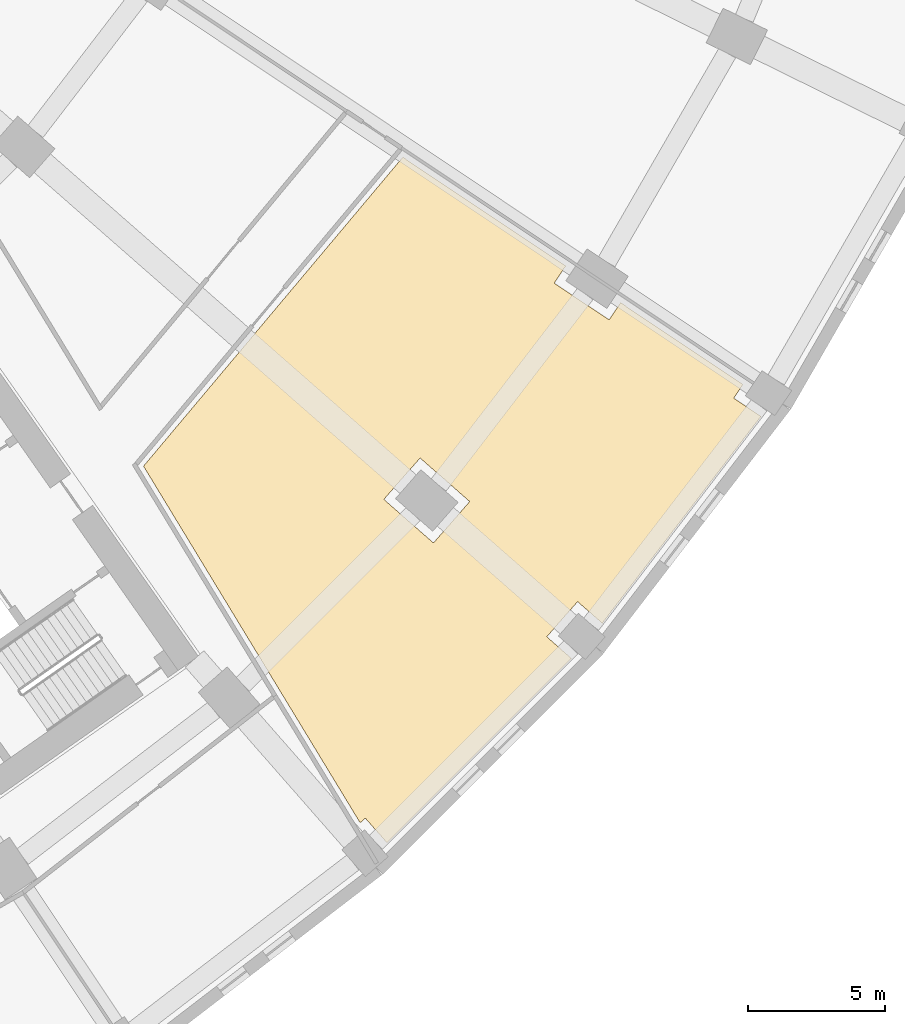
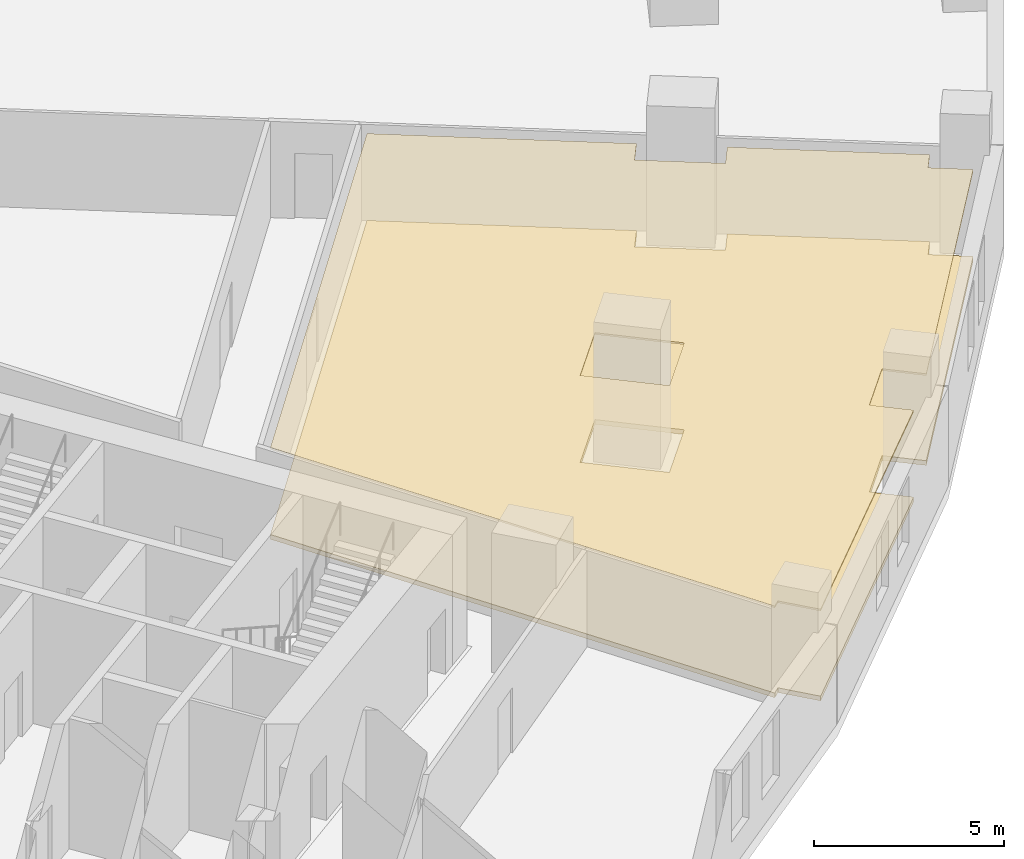
# One storey, part 19 of 19: 2 coverings.
"""IFC4 building model written with IfcOpenShell, lengths in metres."""

from ifc_helpers import new_model, si_unit, direction, frame, origin, place, context, subcontext, project, spatial, polyline, outline, extrude, material, layer, layer_set, type_object, element, save


model = new_model("IFC4")

# Units and contexts
model_context = context("Model", 3, precision=1e-05, world=origin(), true_north=direction((0.0, 1.0)))
body_context = subcontext(model_context, "Body", "Model", "MODEL_VIEW")
ifc_project = project(units=[si_unit("LENGTHUNIT", "METRE"), si_unit("AREAUNIT", "SQUARE_METRE"), si_unit("VOLUMEUNIT", "CUBIC_METRE"), si_unit("PLANEANGLEUNIT", "RADIAN"), si_unit("MASSUNIT", "GRAM", prefix="KILO")], contexts=[model_context])

# Site, building, storey
site_placement = place(None, origin())
site = spatial("IfcSite", under=ifc_project, at=site_placement, CompositionType="ELEMENT")
building_placement = place(site_placement, origin())
building = spatial("IfcBuilding", under=site, at=building_placement, Name="Qamariyya Broadcast Tower", CompositionType="ELEMENT")
storey_placement = place(building_placement, frame((0.0, 0.0, 36.0)))
storey = spatial("IfcBuildingStorey", under=building, at=storey_placement, Name="L05", CompositionType="ELEMENT", Elevation=36.0)

# Coverings
ifc_material_1 = material(Name="Raised access floor")
ifc_layer_1 = layer(ifc_material_1, 0.14990234375)
ifc_layer_set_1 = layer_set([ifc_layer_1], Name="Raised access floor 150")
covering_type_1 = type_object("IfcCoveringType", Name="Raised access floor 150", PredefinedType="FLOORING", material=ifc_layer_set_1)
covering_1_placement = place(storey_placement, origin())
element("IfcCovering", 1, at=covering_1_placement, inside=storey, type_object=covering_type_1, Name="Flooring L05-F05", PredefinedType="FLOORING", context=body_context, shape_type="SweptSolid", body=[
    extrude(outline(polyline([(57.585205078125, -38.77783203125), (63.510009765625, -42.73681640625), (63.093505859375, -43.3603515625), (65.0888671875, -44.69384765625), (65.505615234375, -44.070068359375), (69.9541015625, -47.04248046875), (69.62060546875, -47.541259765625), (70.6123046875, -48.2041015625), (64.83740234375, -55.730224609375), (63.9404296875, -54.94384765625), (62.819580078125, -56.221923828125), (63.716552734375, -57.00830078125), (57.00830078125, -63.716552734375), (56.221923828125, -62.819580078125), (56.031494140625, -62.986572265625), (48.1533203125, -50.016845703125), (57.585205078125, -38.77783203125)]), holes=[polyline([(58.698486328125, -52.80712890625), (60.01708984375, -51.303466796875), (58.212646484375, -49.72119140625), (56.89404296875, -51.224853515625), (58.698486328125, -52.80712890625)])]), origin(), (0.0, 0.0, 1.0), 0.14990234375),
])
ifc_material_2 = material(Name="Perforated plasterboard ceiling")
ifc_layer_2 = layer(ifc_material_2, 0.06005859375)
ifc_layer_set_2 = layer_set([ifc_layer_2], Name="Suspended acoustic ceiling 60")
covering_type_2 = type_object("IfcCoveringType", Name="Suspended acoustic ceiling 60", PredefinedType="CEILING", material=ifc_layer_set_2)
covering_2_placement = place(storey_placement, frame((0.0, 0.0, 2.889892578125)))
element("IfcCovering", 2, at=covering_2_placement, inside=storey, type_object=covering_type_2, Name="Ceiling L05-C05", PredefinedType="CEILING", context=body_context, shape_type="SweptSolid", body=[
    extrude(outline(polyline([(57.585205078125, -38.77783203125), (63.510009765625, -42.73681640625), (63.093505859375, -43.3603515625), (65.0888671875, -44.69384765625), (65.505615234375, -44.070068359375), (69.9541015625, -47.04248046875), (69.62060546875, -47.541259765625), (70.6123046875, -48.2041015625), (64.83740234375, -55.730224609375), (63.9404296875, -54.94384765625), (62.819580078125, -56.221923828125), (63.716552734375, -57.00830078125), (57.00830078125, -63.716552734375), (56.221923828125, -62.819580078125), (56.031494140625, -62.986572265625), (48.1533203125, -50.016845703125), (57.585205078125, -38.77783203125)]), holes=[polyline([(58.698486328125, -52.80712890625), (60.01708984375, -51.303466796875), (58.212646484375, -49.72119140625), (56.89404296875, -51.224853515625), (58.698486328125, -52.80712890625)])]), origin(), (0.0, 0.0, 1.0), 0.06005859375),
])

save(model, "model.ifc")
